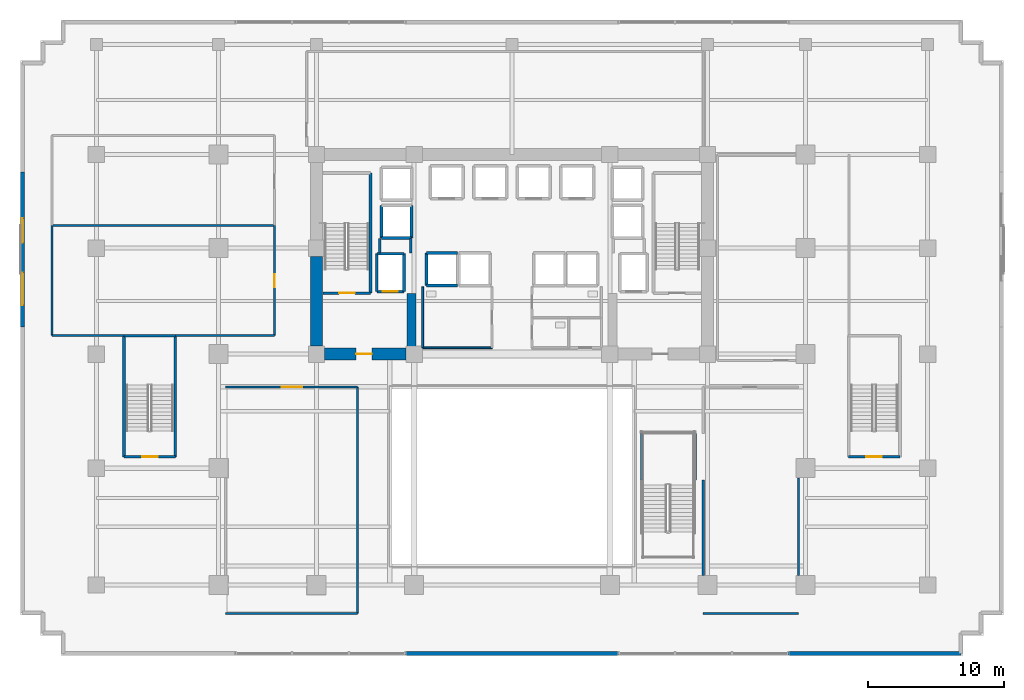
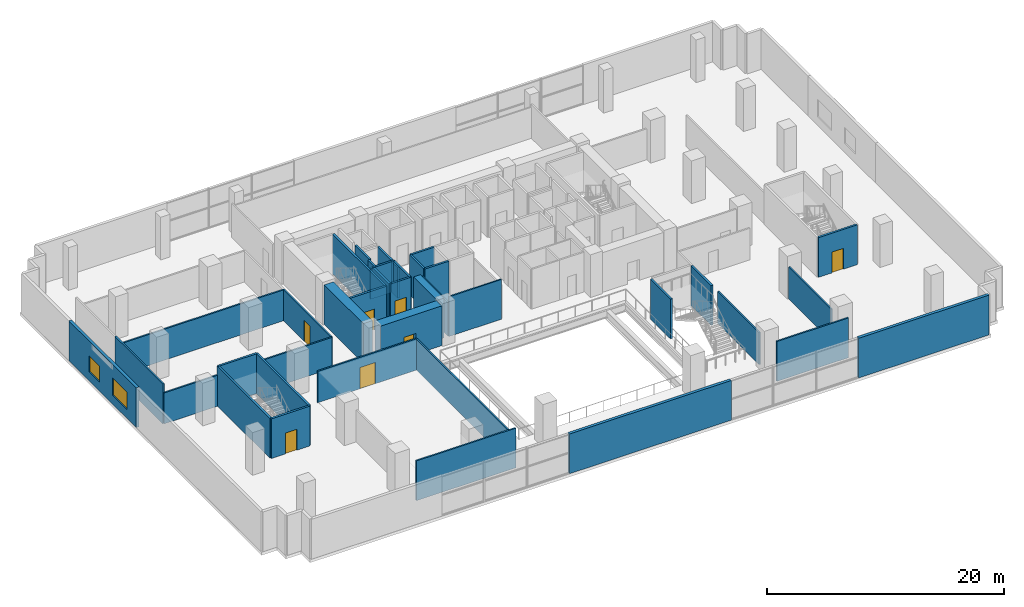
# One storey, part 14 of 21: 40 walls, 7 doors, 2 windows, 9 openings.
"""IFC4 building model written with IfcOpenShell, lengths in metres."""

from ifc_helpers import new_model, si_unit, direction, frame, frame_2d, origin, place, context, subcontext, project, spatial, rectangle, extrude, source, transform, mapped, material, layer, layer_set, type_object, element, fill, save


model = new_model("IFC4")

# Units and contexts
model_context = context("Model", 3, precision=1e-05, world=origin(), true_north=direction((0.0, 1.0)))
body_context = subcontext(model_context, "Body", "Model", "MODEL_VIEW")
ifc_project = project(units=[si_unit("LENGTHUNIT", "METRE"), si_unit("AREAUNIT", "SQUARE_METRE"), si_unit("VOLUMEUNIT", "CUBIC_METRE"), si_unit("PLANEANGLEUNIT", "RADIAN"), si_unit("MASSUNIT", "GRAM", prefix="KILO")], contexts=[model_context])

# Site, building, storey
site_placement = place(None, origin())
site = spatial("IfcSite", under=ifc_project, at=site_placement, CompositionType="ELEMENT")
building_placement = place(site_placement, origin())
building = spatial("IfcBuilding", under=site, at=building_placement, Name="Zarnakvel Exchange Tower", CompositionType="ELEMENT")
storey_placement = place(building_placement, frame((0.0, 0.0, 18.199951171875)))
storey = spatial("IfcBuildingStorey", under=building, at=storey_placement, Name="L04", CompositionType="ELEMENT", Elevation=18.199951171875)

# Wall
ifc_material_1 = material(Name="Concrete C80/95", Category="concrete")
ifc_layer_1 = layer(ifc_material_1, 0.89990234375)
ifc_layer_set_1 = layer_set([ifc_layer_1], Name="Concrete C80/95")
wall_type_1 = type_object("IfcWallType", Name="CW-C1", PredefinedType="SHEAR", material=ifc_layer_set_1)
wall_1_placement = place(storey_placement, frame((-14.39990234375, -0.60009765625, 0.0), z_axis=(0.0, 0.0, 1.0), x_axis=(0.0, 1.0, 0.0)))
element("IfcWall", 1, at=wall_1_placement, inside=storey, type_object=wall_type_1, Name="L04 Rear Core Shear Wall W1 (CW-C1)", PredefinedType="SHEAR", context=body_context, shape_type="SweptSolid", body=[
    extrude(rectangle(XDim=6.60009765625, YDim=0.89990234375, at=frame_2d((3.300048828125, 0.0))), origin(), (0.0, 0.0, 1.0), 4.10009765625),
])

# Wall, opening, door
wall_2_placement = place(storey_placement, frame((-7.800048828125, -1.199951171875, 0.0), z_axis=(0.0, 0.0, 1.0), x_axis=(-1.0, 0.0, 0.0)))
wall_2 = element("IfcWall", 2, at=wall_2_placement, inside=storey, type_object=wall_type_1, Name="L04 Rear Core Shear Wall SW (CW-C1)", PredefinedType="SHEAR", context=body_context, shape_type="SweptSolid", body=[
    extrude(rectangle(XDim=6.0, YDim=0.89990234375, at=frame_2d((3.0, 0.0))), origin(), (0.0, 0.0, 1.0), 4.10009765625),
])
opening_1_placement = place(wall_2_placement, frame((2.52490234375, 0.0, 0.0)))
opening_1 = element("IfcOpeningElement", 3, at=opening_1_placement, cuts=wall_2, Name="Opening D-L04-03", PredefinedType="OPENING", context=body_context, shape_type="SweptSolid", body=[
    extrude(rectangle(XDim=1.14990234375, YDim=2.14990234375, at=frame_2d((0.574951171875, 1.074951171875))), frame((0.0, 0.4599609375, 0.0), z_axis=(0.0, -1.0, 0.0), x_axis=(1.0, 0.0, 0.0)), (0.0, 0.0, 1.0), 0.919921875),
])
ifc_material_2 = material(Name="Painted Galvanised Steel S355", Category="steel")
door_type_1 = type_object("IfcDoorType", Name="DT-04", OperationType="NOTDEFINED", PredefinedType="DOOR", material=ifc_material_2)
shared_shape_1 = source(origin(), body_context, "Body", "SweptSolid", [
    extrude(rectangle(XDim=1.14990234375, YDim=2.14990234375, at=frame_2d((0.574951171875, 1.074951171875))), frame((0.0, 0.02490234375, 0.0), z_axis=(0.0, -1.0, 0.0), x_axis=(1.0, 0.0, 0.0)), (0.0, 0.0, 1.0), 0.050048828125),
])
door_1_placement = place(opening_1_placement, origin())
door_1 = element("IfcDoor", 4, at=door_1_placement, inside=storey, type_object=door_type_1, Name="L04 Firefighting Lobby West Door D-L04-03", OperationType="SINGLE_SWING_RIGHT", OverallHeight=2.14990234375, OverallWidth=1.14990234375, PredefinedType="DOOR", context=body_context, shape_type="MappedRepresentation", body=[
    mapped(shared_shape_1, transform((0.0, 0.0, 0.0), x_axis=(1.0, 0.0, 0.0), y_axis=(0.0, 1.0, 0.0), z_axis=(0.0, 0.0, 1.0), scale=1.0)),
])
fill(opening_1, door_1)

# Wall
ifc_layer_2 = layer(ifc_material_1, 0.64990234375)
ifc_layer_set_2 = layer_set([ifc_layer_2], Name="Concrete C80/95")
wall_type_2 = type_object("IfcWallType", Name="CW-C2", PredefinedType="SHEAR", material=ifc_layer_set_2)
wall_3_placement = place(storey_placement, frame((-7.39990234375, -0.75, 0.0), z_axis=(0.0, 0.0, 1.0), x_axis=(0.0, 1.0, 0.0)))
element("IfcWall", 5, at=wall_3_placement, inside=storey, type_object=wall_type_2, Name="L04 Rear Core Shear Wall IW (CW-C2)", PredefinedType="SHEAR", context=body_context, shape_type="SweptSolid", body=[
    extrude(rectangle(XDim=4.0, YDim=0.64990234375, at=frame_2d((2.0, 0.0))), origin(), (0.0, 0.0, 1.0), 4.10009765625),
])

# Wall, openings, windows
ifc_material_3 = material(Name="Precast concrete C40/50", Category="concrete")
ifc_layer_3 = layer(ifc_material_3, 0.280029296875)
ifc_layer_set_3 = layer_set([ifc_layer_3], Name="Precast concrete C40/50")
wall_type_3 = type_object("IfcWallType", Name="EW-01", PredefinedType="SOLIDWALL", material=ifc_layer_set_3)
wall_4_placement = place(storey_placement, frame((-36.0400390625, 0.800048828125, 0.0), z_axis=(0.0, 0.0, 1.0), x_axis=(0.0, 1.0, 0.0)))
wall_4 = element("IfcWall", 6, at=wall_4_placement, inside=storey, type_object=wall_type_3, Name="L04 Exterior Precast Spandrel Wall EW-L04-WF (EW-01)", PredefinedType="SOLIDWALL", context=body_context, shape_type="SweptSolid", body=[
    extrude(rectangle(XDim=11.39990234375, YDim=0.280029296875, at=frame_2d((5.699951171875, 0.0))), origin(), (0.0, 0.0, 1.0), 4.10009765625),
])
opening_2_placement = place(wall_4_placement, frame((1.60009765625, 0.0, 0.89990234375)))
opening_2 = element("IfcOpeningElement", 7, at=opening_2_placement, cuts=wall_4, Name="Opening WN-01", PredefinedType="OPENING", context=body_context, shape_type="SweptSolid", body=[
    extrude(rectangle(XDim=2.39990234375, YDim=1.800048828125, at=frame_2d((1.199951171875, 0.89990234375))), frame((0.0, 0.14990234375, 0.0), z_axis=(0.0, -1.0, 0.0), x_axis=(1.0, 0.0, 0.0)), (0.0, 0.0, 1.0), 0.300048828125),
])
opening_3_placement = place(wall_4_placement, frame((6.199951171875, 0.0, 0.89990234375)))
opening_3 = element("IfcOpeningElement", 8, at=opening_3_placement, cuts=wall_4, Name="Opening WN-02", PredefinedType="OPENING", context=body_context, shape_type="SweptSolid", body=[
    extrude(rectangle(XDim=1.800048828125, YDim=1.64990234375, at=frame_2d((0.89990234375, 0.824951171875))), frame((0.0, 0.14990234375, 0.0), z_axis=(0.0, -1.0, 0.0), x_axis=(1.0, 0.0, 0.0)), (0.0, 0.0, 1.0), 0.300048828125),
])
ifc_material_4 = material(Name="Double Low-E Laminated Vision Glass", Category="glass")
window_type_1 = type_object("IfcWindowType", Name="WN-01", PartitioningType="SINGLE_PANEL", PredefinedType="WINDOW", material=ifc_material_4)
shared_shape_2 = source(origin(), body_context, "Body", "SweptSolid", [
    extrude(rectangle(XDim=2.39990234375, YDim=1.800048828125, at=frame_2d((1.199951171875, 0.89990234375))), frame((0.0, 0.030029296875, 0.0), z_axis=(0.0, -1.0, 0.0), x_axis=(1.0, 0.0, 0.0)), (0.0, 0.0, 1.0), 0.06005859375),
])
window_1_placement = place(opening_2_placement, origin())
window_1 = element("IfcWindow", 9, at=window_1_placement, inside=storey, type_object=window_type_1, Name="L04 West Flank Window 1", OverallHeight=1.800048828125, OverallWidth=2.39990234375, PartitioningType="SINGLE_PANEL", PredefinedType="WINDOW", context=body_context, shape_type="MappedRepresentation", body=[
    mapped(shared_shape_2, transform((0.0, 0.0, 0.0), x_axis=(1.0, 0.0, 0.0), y_axis=(0.0, 1.0, 0.0), z_axis=(0.0, 0.0, 1.0), scale=1.0)),
])
fill(opening_2, window_1)
window_type_2 = type_object("IfcWindowType", Name="WN-02", PartitioningType="SINGLE_PANEL", PredefinedType="WINDOW", material=ifc_material_4)
shared_shape_3 = source(origin(), body_context, "Body", "SweptSolid", [
    extrude(rectangle(XDim=1.800048828125, YDim=1.64990234375, at=frame_2d((0.89990234375, 0.824951171875))), frame((0.0, 0.030029296875, 0.0), z_axis=(0.0, -1.0, 0.0), x_axis=(1.0, 0.0, 0.0)), (0.0, 0.0, 1.0), 0.06005859375),
])
window_2_placement = place(opening_3_placement, origin())
window_2 = element("IfcWindow", 10, at=window_2_placement, inside=storey, type_object=window_type_2, Name="L04 West Flank Window 2", OverallHeight=1.64990234375, OverallWidth=1.800048828125, PartitioningType="SINGLE_PANEL", PredefinedType="WINDOW", context=body_context, shape_type="MappedRepresentation", body=[
    mapped(shared_shape_3, transform((0.0, 0.0, 0.0), x_axis=(1.0, 0.0, 0.0), y_axis=(0.0, 1.0, 0.0), z_axis=(0.0, 0.0, 1.0), scale=1.0)),
])
fill(opening_3, window_2)

# Walls
wall_5_placement = place(storey_placement, frame((20.304931640625, -23.239990234375, 0.0), z_axis=(0.0, 0.0, 1.0), x_axis=(1.0, 0.0, 0.0)))
element("IfcWall", 11, at=wall_5_placement, inside=storey, type_object=wall_type_3, Name="L04 Exterior Precast Spandrel Wall EWC-L04-20 (EW-01)", PredefinedType="SOLIDWALL", context=body_context, shape_type="SweptSolid", body=[
    extrude(rectangle(XDim=12.735107421875, YDim=0.280029296875, at=frame_2d((6.36767578125, 0.0))), origin(), (0.0, 0.0, 1.0), 4.10009765625),
])
wall_6_placement = place(storey_placement, frame((-7.89501953125, -23.239990234375, 0.0), z_axis=(0.0, 0.0, 1.0), x_axis=(1.0, 0.0, 0.0)))
element("IfcWall", 12, at=wall_6_placement, inside=storey, type_object=wall_type_3, Name="L04 Exterior Precast Spandrel Wall EWC-L04-21 (EW-01)", PredefinedType="SOLIDWALL", context=body_context, shape_type="SweptSolid", body=[
    extrude(rectangle(XDim=15.7900390625, YDim=0.280029296875, at=frame_2d((7.89501953125, 0.0))), origin(), (0.0, 0.0, 1.0), 4.10009765625),
])
ifc_material_5 = material(Name="Fire-Rated Gypsum Stud Partition", Category="gypsum")
ifc_layer_4 = layer(ifc_material_5, 0.14990234375)
ifc_layer_set_4 = layer_set([ifc_layer_4], Name="Fire-Rated Gypsum Stud Partition")
wall_type_4 = type_object("IfcWallType", Name="PT-01", PredefinedType="PARTITIONING", material=ifc_layer_set_4)
wall_7_placement = place(storey_placement, frame((-11.3798828125, -20.280029296875, 0.0), z_axis=(0.0, 0.0, 1.0), x_axis=(-1.0, 0.0, 0.0)))
element("IfcWall", 13, at=wall_7_placement, inside=storey, type_object=wall_type_4, Name="L04 Partition Wall PWALL-L04-030 (PT-01)", PredefinedType="PARTITIONING", context=body_context, shape_type="SweptSolid", body=[
    extrude(rectangle(XDim=9.7001953125, YDim=0.14990234375, at=frame_2d((4.85009765625, 0.0))), origin(), (0.0, 0.0, 1.0), 4.10009765625),
])

# Wall, opening, door
wall_8_placement = place(storey_placement, frame((-21.080078125, -3.6298828125, 0.0), z_axis=(0.0, 0.0, 1.0), x_axis=(1.0, 0.0, 0.0)))
wall_8 = element("IfcWall", 14, at=wall_8_placement, inside=storey, type_object=wall_type_4, Name="L04 Partition Wall PWALL-L04-031 (PT-01)", PredefinedType="PARTITIONING", context=body_context, shape_type="SweptSolid", body=[
    extrude(rectangle(XDim=9.7001953125, YDim=0.14990234375, at=frame_2d((4.85009765625, 0.0))), origin(), (0.0, 0.0, 1.0), 3.2392578125),
])
opening_4_placement = place(wall_8_placement, frame((4.1298828125, 0.0, 0.0)))
opening_4 = element("IfcOpeningElement", 15, at=opening_4_placement, cuts=wall_8, Name="Opening D-L04-11", PredefinedType="OPENING", context=body_context, shape_type="SweptSolid", body=[
    extrude(rectangle(XDim=1.5, YDim=2.199951171875, at=frame_2d((0.75, 1.10009765625))), frame((0.0, 0.0849609375, 0.0), z_axis=(0.0, -1.0, 0.0), x_axis=(1.0, 0.0, 0.0)), (0.0, 0.0, 1.0), 0.169921875),
])
ifc_material_6 = material(Name="Timber Acoustic Veneer", Category="wood")
door_type_2 = type_object("IfcDoorType", Name="DT-03", OperationType="NOTDEFINED", PredefinedType="DOOR", material=ifc_material_6)
shared_shape_4 = source(origin(), body_context, "Body", "SweptSolid", [
    extrude(rectangle(XDim=1.5, YDim=2.199951171875, at=frame_2d((0.75, 1.10009765625))), frame((0.0, 0.02490234375, 0.0), z_axis=(0.0, -1.0, 0.0), x_axis=(1.0, 0.0, 0.0)), (0.0, 0.0, 1.0), 0.050048828125),
])
door_2_placement = place(opening_4_placement, origin())
door_2 = element("IfcDoor", 16, at=door_2_placement, inside=storey, type_object=door_type_2, Name="L04 Exchange Dining Concourse Door D-L04-11", OperationType="DOUBLE_DOOR_SINGLE_SWING", OverallHeight=2.199951171875, OverallWidth=1.5, PredefinedType="DOOR", context=body_context, shape_type="MappedRepresentation", body=[
    mapped(shared_shape_4, transform((0.0, 0.0, 0.0), x_axis=(1.0, 0.0, 0.0), y_axis=(0.0, 1.0, 0.0), z_axis=(0.0, 0.0, 1.0), scale=1.0)),
])
fill(opening_4, door_2)

# Walls
wall_9_placement = place(storey_placement, frame((-11.3798828125, -3.6298828125, 0.0), z_axis=(0.0, 0.0, 1.0), x_axis=(0.0, -1.0, 0.0)))
element("IfcWall", 17, at=wall_9_placement, inside=storey, type_object=wall_type_4, Name="L04 Partition Wall PWALL-L04-033 (PT-01)", PredefinedType="PARTITIONING", context=body_context, shape_type="SweptSolid", body=[
    extrude(rectangle(XDim=16.650146484375, YDim=0.14990234375, at=frame_2d((8.3251953125, 0.0))), origin(), (0.0, 0.0, 1.0), 3.18994140625),
])
wall_10_placement = place(storey_placement, frame((21.080078125, -20.280029296875, 0.0), z_axis=(0.0, 0.0, 1.0), x_axis=(-1.0, 0.0, 0.0)))
element("IfcWall", 18, at=wall_10_placement, inside=storey, type_object=wall_type_4, Name="L04 Partition Wall PWALL-L04-034 (PT-01)", PredefinedType="PARTITIONING", context=body_context, shape_type="SweptSolid", body=[
    extrude(rectangle(XDim=7.0, YDim=0.14990234375, at=frame_2d((3.5, 0.0))), origin(), (0.0, 0.0, 1.0), 4.10009765625),
])
wall_11_placement = place(storey_placement, frame((14.080078125, -17.47998046875, 0.0), z_axis=(0.0, 0.0, 1.0), x_axis=(0.0, 1.0, 0.0)))
element("IfcWall", 19, at=wall_11_placement, inside=storey, type_object=wall_type_4, Name="L04 Partition Wall PWALL-L04-036 (PT-01)", PredefinedType="PARTITIONING", context=body_context, shape_type="SweptSolid", body=[
    extrude(rectangle(XDim=7.030029296875, YDim=0.14990234375, at=frame_2d((3.51513671875, 0.0))), origin(), (0.0, 0.0, 1.0), 3.2900390625),
])
wall_12_placement = place(storey_placement, frame((21.080078125, -10.320068359375, 0.0), z_axis=(0.0, 0.0, 1.0), x_axis=(0.0, -1.0, 0.0)))
element("IfcWall", 20, at=wall_12_placement, inside=storey, type_object=wall_type_4, Name="L04 Partition Wall PWALL-L04-038 (PT-01)", PredefinedType="PARTITIONING", context=body_context, shape_type="SweptSolid", body=[
    extrude(rectangle(XDim=7.159912109375, YDim=0.14990234375, at=frame_2d((3.580078125, 0.0))), origin(), (0.0, 0.0, 1.0), 3.2900390625),
])
wall_13_placement = place(storey_placement, frame((-28.56005859375, 0.169921875, 0.0), z_axis=(0.0, 0.0, 1.0), x_axis=(-1.0, 0.0, 0.0)))
element("IfcWall", 21, at=wall_13_placement, inside=storey, type_object=wall_type_4, Name="L04 Partition Wall PWALL-L04-039 (PT-01)", PredefinedType="PARTITIONING", context=body_context, shape_type="SweptSolid", body=[
    extrude(rectangle(XDim=5.31982421875, YDim=0.14990234375, at=frame_2d((2.659912109375, 0.0))), origin(), (0.0, 0.0, 1.0), 3.18994140625),
])
wall_14_placement = place(storey_placement, frame((-17.47998046875, 0.169921875, 0.0), z_axis=(0.0, 0.0, 1.0), x_axis=(-1.0, 0.0, 0.0)))
element("IfcWall", 22, at=wall_14_placement, inside=storey, type_object=wall_type_4, Name="L04 Partition Wall PWALL-L04-040 (PT-01)", PredefinedType="PARTITIONING", context=body_context, shape_type="SweptSolid", body=[
    extrude(rectangle(XDim=7.31005859375, YDim=0.14990234375, at=frame_2d((3.655029296875, 0.0))), origin(), (0.0, 0.0, 1.0), 3.18994140625),
])
wall_15_placement = place(storey_placement, frame((-33.8798828125, 8.280029296875, 0.0), z_axis=(0.0, 0.0, 1.0), x_axis=(1.0, 0.0, 0.0)))
element("IfcWall", 23, at=wall_15_placement, inside=storey, type_object=wall_type_4, Name="L04 Partition Wall PWALL-L04-041 (PT-01)", PredefinedType="PARTITIONING", context=body_context, shape_type="SweptSolid", body=[
    extrude(rectangle(XDim=16.39990234375, YDim=0.14990234375, at=frame_2d((8.199951171875, 0.0))), origin(), (0.0, 0.0, 1.0), 3.18994140625),
])
wall_16_placement = place(storey_placement, frame((-33.8798828125, 0.169921875, 0.0), z_axis=(0.0, 0.0, 1.0), x_axis=(0.0, 1.0, 0.0)))
element("IfcWall", 24, at=wall_16_placement, inside=storey, type_object=wall_type_4, Name="L04 Partition Wall PWALL-L04-042 (PT-01)", PredefinedType="PARTITIONING", context=body_context, shape_type="SweptSolid", body=[
    extrude(rectangle(XDim=8.110107421875, YDim=0.14990234375, at=frame_2d((4.05517578125, 0.0))), origin(), (0.0, 0.0, 1.0), 4.10009765625),
])

# Wall, opening, door
wall_17_placement = place(storey_placement, frame((-17.47998046875, 8.280029296875, 0.0), z_axis=(0.0, 0.0, 1.0), x_axis=(0.0, -1.0, 0.0)))
wall_17 = element("IfcWall", 25, at=wall_17_placement, inside=storey, type_object=wall_type_4, Name="L04 Partition Wall PWALL-L04-043 (PT-01)", PredefinedType="PARTITIONING", context=body_context, shape_type="SweptSolid", body=[
    extrude(rectangle(XDim=8.110107421875, YDim=0.14990234375, at=frame_2d((4.05517578125, 0.0))), origin(), (0.0, 0.0, 1.0), 3.18994140625),
])
opening_5_placement = place(wall_17_placement, frame((3.590087890625, 0.0, 0.0)))
opening_5 = element("IfcOpeningElement", 26, at=opening_5_placement, cuts=wall_17, Name="Opening D-L04-13", PredefinedType="OPENING", context=body_context, shape_type="SweptSolid", body=[
    extrude(rectangle(XDim=0.97998046875, YDim=2.14990234375, at=frame_2d((0.489990234375, 1.074951171875))), frame((0.0, 0.0849609375, 0.0), z_axis=(0.0, -1.0, 0.0), x_axis=(1.0, 0.0, 0.0)), (0.0, 0.0, 1.0), 0.169921875),
])
door_type_3 = type_object("IfcDoorType", Name="DT-05", OperationType="NOTDEFINED", PredefinedType="DOOR", material=ifc_material_6)
shared_shape_5 = source(origin(), body_context, "Body", "SweptSolid", [
    extrude(rectangle(XDim=0.97998046875, YDim=2.14990234375, at=frame_2d((0.489990234375, 1.074951171875))), frame((0.0, 0.02490234375, 0.0), z_axis=(0.0, -1.0, 0.0), x_axis=(1.0, 0.0, 0.0)), (0.0, 0.0, 1.0), 0.050048828125),
])
door_3_placement = place(opening_5_placement, origin())
door_3 = element("IfcDoor", 27, at=door_3_placement, inside=storey, type_object=door_type_3, Name="L04 Market Clearing Operations Office Door D-L04-13", OperationType="SINGLE_SWING_RIGHT", OverallHeight=2.14990234375, OverallWidth=0.97998046875, PredefinedType="DOOR", context=body_context, shape_type="MappedRepresentation", body=[
    mapped(shared_shape_5, transform((0.0, 0.0, 0.0), x_axis=(1.0, 0.0, 0.0), y_axis=(0.0, 1.0, 0.0), z_axis=(0.0, 0.0, 1.0), scale=1.0)),
])
fill(opening_5, door_3)

# Walls
ifc_layer_5 = layer(ifc_material_5, 0.179931640625)
ifc_layer_set_5 = layer_set([ifc_layer_5], Name="Fire-Rated Gypsum Stud Partition")
wall_type_5 = type_object("IfcWallType", Name="PT-02", PredefinedType="PARTITIONING", material=ifc_layer_set_5)
wall_18_placement = place(storey_placement, frame((-9.72998046875, 6.239990234375, 0.0), z_axis=(0.0, 0.0, 1.0), x_axis=(0.0, 1.0, 0.0)))
element("IfcWall", 28, at=wall_18_placement, inside=storey, type_object=wall_type_5, Name="L04 Partition Wall PWALL-L04-007 (PT-02)", PredefinedType="PARTITIONING", context=body_context, shape_type="SweptSolid", body=[
    extrude(rectangle(XDim=1.090087890625, YDim=0.179931640625, at=frame_2d((0.544921875, 0.0))), origin(), (0.0, 0.0, 1.0), 4.10009765625),
])
wall_19_placement = place(storey_placement, frame((-7.469970703125, 7.330078125, 0.0), z_axis=(0.0, 0.0, 1.0), x_axis=(0.0, -1.0, 0.0)))
element("IfcWall", 29, at=wall_19_placement, inside=storey, type_object=wall_type_5, Name="L04 Partition Wall PWALL-L04-008 (PT-02)", PredefinedType="PARTITIONING", context=body_context, shape_type="SweptSolid", body=[
    extrude(rectangle(XDim=1.090087890625, YDim=0.179931640625, at=frame_2d((0.544921875, 0.0))), origin(), (0.0, 0.0, 1.0), 3.18994140625),
])
ifc_material_7 = material(Name="Moisture-Resistant Tile-Faced Partition", Category="gypsum")
ifc_layer_6 = layer(ifc_material_7, 0.135009765625)
ifc_layer_set_6 = layer_set([ifc_layer_6], Name="Moisture-Resistant Tile-Faced Partition")
wall_type_6 = type_object("IfcWallType", Name="PT-03", PredefinedType="PARTITIONING", material=ifc_layer_set_6)
wall_20_placement = place(storey_placement, frame((-1.469970703125, -0.72998046875, 0.0), z_axis=(0.0, 0.0, 1.0), x_axis=(-1.0, 0.0, 0.0)))
element("IfcWall", 30, at=wall_20_placement, inside=storey, type_object=wall_type_6, Name="L04 Partition Wall PWALL-L04-011 (PT-03)", PredefinedType="PARTITIONING", context=body_context, shape_type="SweptSolid", body=[
    extrude(rectangle(XDim=5.110107421875, YDim=0.135009765625, at=frame_2d((2.55517578125, 0.0))), origin(), (0.0, 0.0, 1.0), 4.10009765625),
])
wall_21_placement = place(storey_placement, frame((-6.580078125, -0.72998046875, 0.0), z_axis=(0.0, 0.0, 1.0), x_axis=(0.0, 1.0, 0.0)))
element("IfcWall", 31, at=wall_21_placement, inside=storey, type_object=wall_type_6, Name="L04 Partition Wall PWALL-L04-012 (PT-03)", PredefinedType="PARTITIONING", context=body_context, shape_type="SweptSolid", body=[
    extrude(rectangle(XDim=4.489990234375, YDim=0.135009765625, at=frame_2d((2.2451171875, 0.0))), origin(), (0.0, 0.0, 1.0), 3.472900390625),
])

# Wall, opening, door
ifc_material_8 = material(Name="Concrete C40/50", Category="concrete")
ifc_layer_7 = layer(ifc_material_8, 0.199951171875)
ifc_layer_set_7 = layer_set([ifc_layer_7], Name="Concrete C40/50")
wall_type_7 = type_object("IfcWallType", Name="SW-01", PredefinedType="SOLIDWALL", material=ifc_layer_set_7)
wall_22_placement = place(storey_placement, frame((-7.949951171875, 3.39990234375, 0.0), z_axis=(0.0, 0.0, 1.0), x_axis=(-1.0, 0.0, 0.0)))
wall_22 = element("IfcWall", 32, at=wall_22_placement, inside=storey, type_object=wall_type_7, Name="L04 FL-01 Hoistway Wall South", PredefinedType="SOLIDWALL", context=body_context, shape_type="SweptSolid", body=[
    extrude(rectangle(XDim=2.0, YDim=0.199951171875, at=frame_2d((1.0, 0.0))), origin(), (0.0, 0.0, 1.0), 4.10009765625),
])
opening_6_placement = place(wall_22_placement, frame((0.449951171875, 0.0, 0.0)))
opening_6 = element("IfcOpeningElement", 33, at=opening_6_placement, cuts=wall_22, Name="Opening LD-FL-01-L04", PredefinedType="OPENING", context=body_context, shape_type="SweptSolid", body=[
    extrude(rectangle(XDim=1.10009765625, YDim=2.199951171875, at=frame_2d((0.550048828125, 1.10009765625))), frame((0.0, 0.10986328125, 0.0), z_axis=(0.0, -1.0, 0.0), x_axis=(1.0, 0.0, 0.0)), (0.0, 0.0, 1.0), 0.219970703125),
])
ifc_material_9 = material(Name="Brushed Stainless Steel", Category="steel")
door_type_4 = type_object("IfcDoorType", Name="LDT-01", OperationType="NOTDEFINED", PredefinedType="DOOR", material=ifc_material_9)
shared_shape_6 = source(origin(), body_context, "Body", "SweptSolid", [
    extrude(rectangle(XDim=1.10009765625, YDim=2.199951171875, at=frame_2d((0.550048828125, 1.10009765625))), frame((0.0, 0.02490234375, 0.0), z_axis=(0.0, -1.0, 0.0), x_axis=(1.0, 0.0, 0.0)), (0.0, 0.0, 1.0), 0.050048828125),
])
door_4_placement = place(opening_6_placement, origin())
door_4 = element("IfcDoor", 34, at=door_4_placement, inside=storey, type_object=door_type_4, Name="L04 FL-01 Lift Landing Door LD-FL-01-L04", OperationType="DOUBLE_DOOR_SLIDING", OverallHeight=2.199951171875, OverallWidth=1.10009765625, PredefinedType="DOOR", context=body_context, shape_type="MappedRepresentation", body=[
    mapped(shared_shape_6, transform((0.0, 0.0, 0.0), x_axis=(1.0, 0.0, 0.0), y_axis=(0.0, 1.0, 0.0), z_axis=(0.0, 0.0, 1.0), scale=1.0)),
])
fill(opening_6, door_4)

# Walls
wall_23_placement = place(storey_placement, frame((-9.949951171875, 6.199951171875, 0.0), z_axis=(0.0, 0.0, 1.0), x_axis=(1.0, 0.0, 0.0)))
element("IfcWall", 35, at=wall_23_placement, inside=storey, type_object=wall_type_7, Name="L04 FL-01 Hoistway Wall North", PredefinedType="SOLIDWALL", context=body_context, shape_type="SweptSolid", body=[
    extrude(rectangle(XDim=2.0, YDim=0.199951171875, at=frame_2d((1.0, 0.0))), origin(), (0.0, 0.0, 1.0), 4.10009765625),
])
for number, where, z_axis, x_axis, name in (
    (36, (-9.949951171875, 3.39990234375, 0.0), (0.0, 0.0, 1.0), (0.0, 1.0, 0.0), "L04 FL-01 Hoistway Wall West"),
    (37, (-7.949951171875, 6.199951171875, 0.0), (0.0, 0.0, 1.0), (0.0, -1.0, 0.0), "L04 FL-01 Hoistway Wall East"),
):
    element("IfcWall", number, at=place(storey_placement, frame(where, z_axis=z_axis, x_axis=x_axis)), inside=storey, type_object=wall_type_7, Name=name, PredefinedType="SOLIDWALL", context=body_context, shape_type="SweptSolid", body=[
        extrude(rectangle(XDim=2.800048828125, YDim=0.199951171875, at=frame_2d((1.39990234375, 0.0))), origin(), (0.0, 0.0, 1.0), 4.10009765625),
    ])
for number, where, z_axis, x_axis, name in (
    (38, (-4.0, 3.85009765625, 0.0), (0.0, 0.0, 1.0), (-1.0, 0.0, 0.0), "L04 PL-05 Hoistway Wall South"),
    (39, (-6.300048828125, 6.25, 0.0), (0.0, 0.0, 1.0), (1.0, 0.0, 0.0), "L04 PL-05 Hoistway Wall North"),
):
    element("IfcWall", number, at=place(storey_placement, frame(where, z_axis=z_axis, x_axis=x_axis)), inside=storey, type_object=wall_type_7, Name=name, PredefinedType="SOLIDWALL", context=body_context, shape_type="SweptSolid", body=[
        extrude(rectangle(XDim=2.300048828125, YDim=0.199951171875, at=frame_2d((1.14990234375, 0.0))), origin(), (0.0, 0.0, 1.0), 4.10009765625),
    ])
wall_24_placement = place(storey_placement, frame((-6.300048828125, 3.85009765625, 0.0), z_axis=(0.0, 0.0, 1.0), x_axis=(0.0, 1.0, 0.0)))
element("IfcWall", 40, at=wall_24_placement, inside=storey, type_object=wall_type_7, Name="L04 PL-05 Hoistway Wall West", PredefinedType="SOLIDWALL", context=body_context, shape_type="SweptSolid", body=[
    extrude(rectangle(XDim=2.39990234375, YDim=0.199951171875, at=frame_2d((1.199951171875, 0.0))), origin(), (0.0, 0.0, 1.0), 4.10009765625),
])
wall_25_placement = place(storey_placement, frame((-7.39990234375, 7.35009765625, 0.0), z_axis=(0.0, 0.0, 1.0), x_axis=(-1.0, 0.0, 0.0)))
element("IfcWall", 41, at=wall_25_placement, inside=storey, type_object=wall_type_7, Name="L04 PL-09 Hoistway Wall South", PredefinedType="SOLIDWALL", context=body_context, shape_type="SweptSolid", body=[
    extrude(rectangle(XDim=2.2001953125, YDim=0.199951171875, at=frame_2d((1.10009765625, 0.0))), origin(), (0.0, 0.0, 1.0), 3.18994140625),
])
wall_26_placement = place(storey_placement, frame((-9.60009765625, 7.35009765625, 0.0), z_axis=(0.0, 0.0, 1.0), x_axis=(0.0, 1.0, 0.0)))
element("IfcWall", 42, at=wall_26_placement, inside=storey, type_object=wall_type_7, Name="L04 PL-09 Hoistway Wall West", PredefinedType="SOLIDWALL", context=body_context, shape_type="SweptSolid", body=[
    extrude(rectangle(XDim=2.39990234375, YDim=0.199951171875, at=frame_2d((1.199951171875, 0.0))), origin(), (0.0, 0.0, 1.0), 4.10009765625),
])
wall_27_placement = place(storey_placement, frame((-7.39990234375, 9.75, 0.0), z_axis=(0.0, 0.0, 1.0), x_axis=(0.0, -1.0, 0.0)))
element("IfcWall", 43, at=wall_27_placement, inside=storey, type_object=wall_type_7, Name="L04 PL-09 Hoistway Wall East", PredefinedType="SOLIDWALL", context=body_context, shape_type="SweptSolid", body=[
    extrude(rectangle(XDim=2.39990234375, YDim=0.199951171875, at=frame_2d((1.199951171875, 0.0))), origin(), (0.0, 0.0, 1.0), 3.18994140625),
])
ifc_layer_8 = layer(ifc_material_8, 0.199951171875)
ifc_layer_set_8 = layer_set([ifc_layer_8], Name="Concrete C40/50")
wall_type_8 = type_object("IfcWallType", Name="SW-02", PredefinedType="SOLIDWALL", material=ifc_layer_set_8)
for number, where, z_axis, x_axis, name in (
    (44, (9.52001953125, -10.449951171875, 0.0), (0.0, 0.0, 1.0), (0.0, 1.0, 0.0), "L04 Atrium Feature Stair ST-06 Bearing Wall W"),
    (45, (13.47998046875, -7.050048828125, 0.0), (0.0, 0.0, 1.0), (0.0, -1.0, 0.0), "L04 Atrium Feature Stair ST-06 Bearing Wall E"),
):
    element("IfcWall", number, at=place(storey_placement, frame(where, z_axis=z_axis, x_axis=x_axis)), inside=storey, type_object=wall_type_8, Name=name, PredefinedType="SOLIDWALL", context=body_context, shape_type="SweptSolid", body=[
        extrude(rectangle(XDim=3.39990234375, YDim=0.199951171875, at=frame_2d((1.699951171875, 0.0))), origin(), (0.0, 0.0, 1.0), 4.10009765625),
    ])

# Wall, opening, door
wall_28_placement = place(storey_placement, frame((-10.409912109375, 3.2900390625, 0.0), z_axis=(0.0, 0.0, 1.0), x_axis=(-1.0, 0.0, 0.0)))
wall_28 = element("IfcWall", 46, at=wall_28_placement, inside=storey, type_object=wall_type_8, Name="L04 Stairwell Core Wall PWALL-L04-001 (SW-02)", PredefinedType="SOLIDWALL", context=body_context, shape_type="SweptSolid", body=[
    extrude(rectangle(XDim=3.52001953125, YDim=0.199951171875, at=frame_2d((1.760009765625, 0.0))), origin(), (0.0, 0.0, 1.0), 4.10009765625),
])
opening_7_placement = place(wall_28_placement, frame((1.1650390625, 0.0, 0.0)))
opening_7 = element("IfcOpeningElement", 47, at=opening_7_placement, cuts=wall_28, Name="Opening D-L04-01", PredefinedType="OPENING", context=body_context, shape_type="SweptSolid", body=[
    extrude(rectangle(XDim=1.14990234375, YDim=2.14990234375, at=frame_2d((0.574951171875, 1.074951171875))), frame((0.0, 0.10986328125, 0.0), z_axis=(0.0, -1.0, 0.0), x_axis=(1.0, 0.0, 0.0)), (0.0, 0.0, 1.0), 0.219970703125),
])
door_5_placement = place(opening_7_placement, origin())
door_5 = element("IfcDoor", 48, at=door_5_placement, inside=storey, type_object=door_type_1, Name="L04 Stairwell ST-01 Door D-L04-01", OperationType="SINGLE_SWING_RIGHT", OverallHeight=2.14990234375, OverallWidth=1.14990234375, PredefinedType="DOOR", context=body_context, shape_type="MappedRepresentation", body=[
    mapped(shared_shape_1, transform((0.0, 0.0, 0.0), x_axis=(1.0, 0.0, 0.0), y_axis=(0.0, 1.0, 0.0), z_axis=(0.0, 0.0, 1.0), scale=1.0)),
])
fill(opening_7, door_5)

# Wall
wall_29_placement = place(storey_placement, frame((-10.409912109375, 12.1298828125, 0.0), z_axis=(0.0, 0.0, 1.0), x_axis=(0.0, -1.0, 0.0)))
element("IfcWall", 49, at=wall_29_placement, inside=storey, type_object=wall_type_8, Name="L04 Stairwell Core Wall PWALL-L04-003 (SW-02)", PredefinedType="SOLIDWALL", context=body_context, shape_type="SweptSolid", body=[
    extrude(rectangle(XDim=8.83984375, YDim=0.199951171875, at=frame_2d((4.419921875, 0.0))), origin(), (0.0, 0.0, 1.0), 4.10009765625),
])

# Wall, opening, door
wall_30_placement = place(storey_placement, frame((-24.7900390625, -8.760009765625, 0.0), z_axis=(0.0, 0.0, 1.0), x_axis=(-1.0, 0.0, 0.0)))
wall_30 = element("IfcWall", 50, at=wall_30_placement, inside=storey, type_object=wall_type_8, Name="L04 Stairwell Core Wall PWALL-L04-022 (SW-02)", PredefinedType="SOLIDWALL", context=body_context, shape_type="SweptSolid", body=[
    extrude(rectangle(XDim=3.77001953125, YDim=0.199951171875, at=frame_2d((1.885009765625, 0.0))), origin(), (0.0, 0.0, 1.0), 4.10009765625),
])
opening_8_placement = place(wall_30_placement, frame((1.284912109375, 0.0, 0.0)))
opening_8 = element("IfcOpeningElement", 51, at=opening_8_placement, cuts=wall_30, Name="Opening D-L04-09", PredefinedType="OPENING", context=body_context, shape_type="SweptSolid", body=[
    extrude(rectangle(XDim=1.14990234375, YDim=2.14990234375, at=frame_2d((0.574951171875, 1.074951171875))), frame((0.0, 0.10986328125, 0.0), z_axis=(0.0, -1.0, 0.0), x_axis=(1.0, 0.0, 0.0)), (0.0, 0.0, 1.0), 0.219970703125),
])
door_6_placement = place(opening_8_placement, origin())
door_6 = element("IfcDoor", 52, at=door_6_placement, inside=storey, type_object=door_type_1, Name="L04 Stairwell ST-03 Door D-L04-09", OperationType="SINGLE_SWING_RIGHT", OverallHeight=2.14990234375, OverallWidth=1.14990234375, PredefinedType="DOOR", context=body_context, shape_type="MappedRepresentation", body=[
    mapped(shared_shape_1, transform((0.0, 0.0, 0.0), x_axis=(1.0, 0.0, 0.0), y_axis=(0.0, 1.0, 0.0), z_axis=(0.0, 0.0, 1.0), scale=1.0)),
])
fill(opening_8, door_6)

# Walls
wall_31_placement = place(storey_placement, frame((-28.56005859375, 0.159912109375, 0.0), z_axis=(0.0, 0.0, 1.0), x_axis=(1.0, 0.0, 0.0)))
element("IfcWall", 53, at=wall_31_placement, inside=storey, type_object=wall_type_8, Name="L04 Stairwell Core Wall PWALL-L04-023 (SW-02)", PredefinedType="SOLIDWALL", context=body_context, shape_type="SweptSolid", body=[
    extrude(rectangle(XDim=3.77001953125, YDim=0.199951171875, at=frame_2d((1.885009765625, 0.0))), origin(), (0.0, 0.0, 1.0), 4.10009765625),
])
for number, where, z_axis, x_axis, name in (
    (54, (-28.56005859375, -8.760009765625, 0.0), (0.0, 0.0, 1.0), (0.0, 1.0, 0.0), "L04 Stairwell Core Wall PWALL-L04-024 (SW-02)"),
    (55, (-24.7900390625, 0.159912109375, 0.0), (0.0, 0.0, 1.0), (0.0, -1.0, 0.0), "L04 Stairwell Core Wall PWALL-L04-025 (SW-02)"),
):
    element("IfcWall", number, at=place(storey_placement, frame(where, z_axis=z_axis, x_axis=x_axis)), inside=storey, type_object=wall_type_8, Name=name, PredefinedType="SOLIDWALL", context=body_context, shape_type="SweptSolid", body=[
        extrude(rectangle(XDim=8.919921875, YDim=0.199951171875, at=frame_2d((4.4599609375, 0.0))), origin(), (0.0, 0.0, 1.0), 4.10009765625),
    ])

# Wall, opening, door
wall_32_placement = place(storey_placement, frame((28.56005859375, -8.760009765625, 0.0), z_axis=(0.0, 0.0, 1.0), x_axis=(-1.0, 0.0, 0.0)))
wall_32 = element("IfcWall", 56, at=wall_32_placement, inside=storey, type_object=wall_type_8, Name="L04 Stairwell Core Wall PWALL-L04-026 (SW-02)", PredefinedType="SOLIDWALL", context=body_context, shape_type="SweptSolid", body=[
    extrude(rectangle(XDim=3.77001953125, YDim=0.199951171875, at=frame_2d((1.885009765625, 0.0))), origin(), (0.0, 0.0, 1.0), 4.10009765625),
])
opening_9_placement = place(wall_32_placement, frame((1.3349609375, 0.0, 0.0)))
opening_9 = element("IfcOpeningElement", 57, at=opening_9_placement, cuts=wall_32, Name="Opening D-L04-10", PredefinedType="OPENING", context=body_context, shape_type="SweptSolid", body=[
    extrude(rectangle(XDim=1.14990234375, YDim=2.14990234375, at=frame_2d((0.574951171875, 1.074951171875))), frame((0.0, 0.10986328125, 0.0), z_axis=(0.0, -1.0, 0.0), x_axis=(1.0, 0.0, 0.0)), (0.0, 0.0, 1.0), 0.219970703125),
])
door_7_placement = place(opening_9_placement, origin())
door_7 = element("IfcDoor", 58, at=door_7_placement, inside=storey, type_object=door_type_1, Name="L04 Stairwell ST-04 Door D-L04-10", OperationType="SINGLE_SWING_LEFT", OverallHeight=2.14990234375, OverallWidth=1.14990234375, PredefinedType="DOOR", context=body_context, shape_type="MappedRepresentation", body=[
    mapped(shared_shape_1, transform((0.0, 0.0, 0.0), x_axis=(1.0, 0.0, 0.0), y_axis=(0.0, 1.0, 0.0), z_axis=(0.0, 0.0, 1.0), scale=1.0)),
])
fill(opening_9, door_7)

save(model, "model.ifc")
